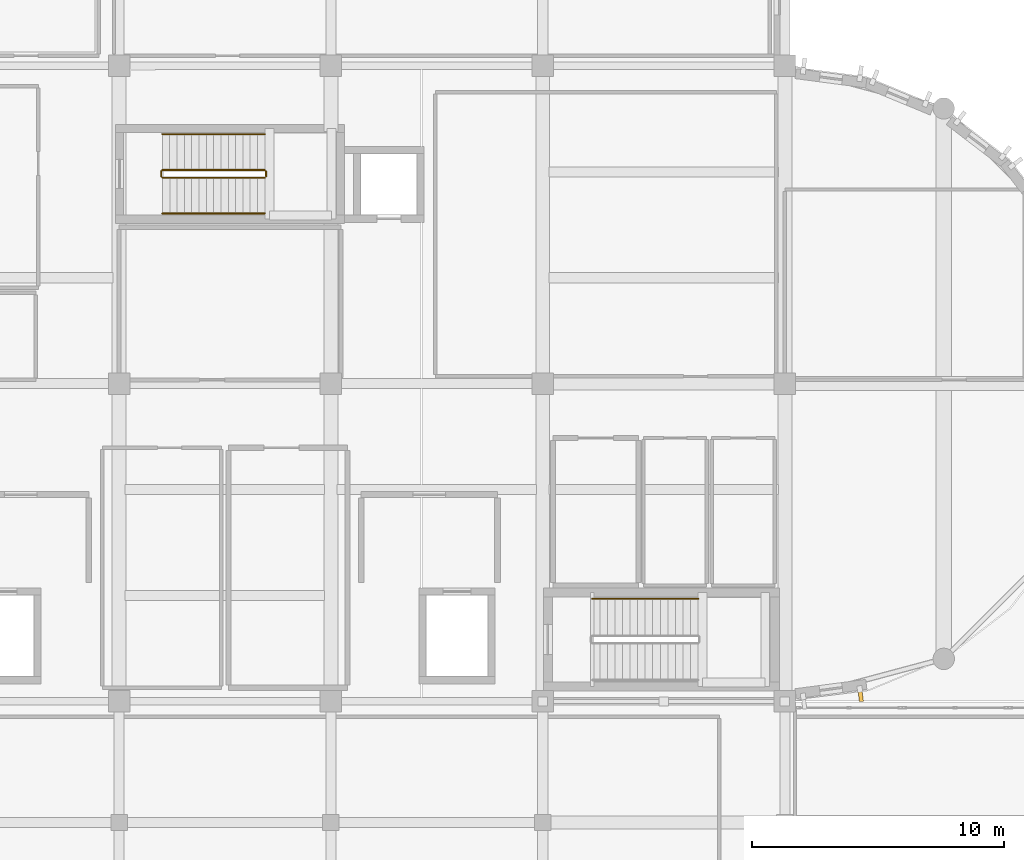
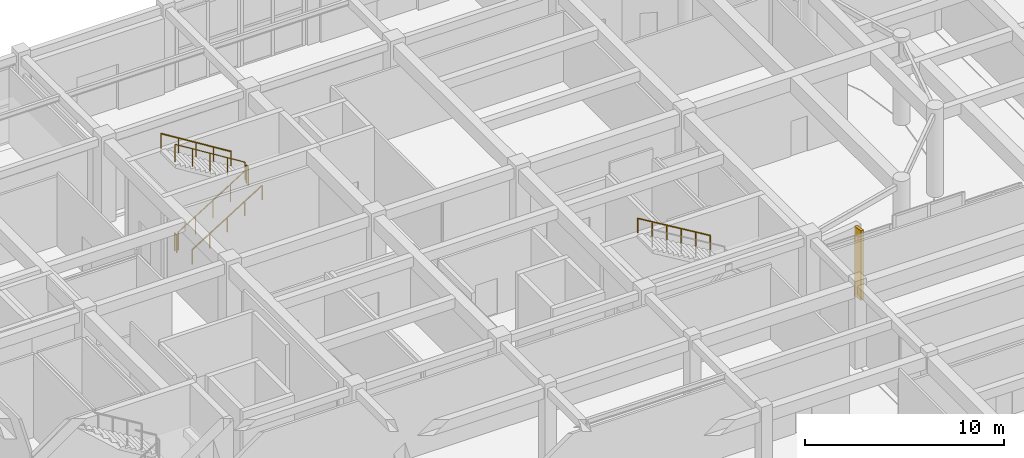
# One storey, part 93 of 98: 7 railings, 1 covering.
"""IFC4 building model written with IfcOpenShell, lengths in metres."""

from ifc_helpers import new_model, si_unit, direction, frame, origin, origin_2d, place, context, subcontext, project, spatial, rectangle, circle, extrude, material, layer, layer_set, type_object, element, save


model = new_model("IFC4")

# Units and contexts
model_context = context("Model", 3, precision=1e-05, world=origin(), true_north=direction((0.0, 1.0)))
body_context = subcontext(model_context, "Body", "Model", "MODEL_VIEW")
ifc_project = project(units=[si_unit("LENGTHUNIT", "METRE"), si_unit("AREAUNIT", "SQUARE_METRE"), si_unit("VOLUMEUNIT", "CUBIC_METRE"), si_unit("PLANEANGLEUNIT", "RADIAN"), si_unit("MASSUNIT", "GRAM", prefix="KILO")], contexts=[model_context])

# Site, building, storey
site_placement = place(None, origin())
site = spatial("IfcSite", under=ifc_project, at=site_placement, CompositionType="ELEMENT")
building_placement = place(site_placement, origin())
building = spatial("IfcBuilding", under=site, at=building_placement, Name="Tarnavel Promenade Courthouse", CompositionType="ELEMENT")
storey_placement = place(building_placement, origin())
storey = spatial("IfcBuildingStorey", under=building, at=storey_placement, Name="L01", CompositionType="ELEMENT", Elevation=0.0)

# Railings
ifc_material_1 = material(Name="Brushed Bronze Tubular Stair Handrail")
railing_type_1 = type_object("IfcRailingType", Name="Brushed Bronze Tubular Stair Handrail (RL-HND-0900)", PredefinedType="HANDRAIL", material=ifc_material_1)
railing_1_placement = place(storey_placement, frame((98.56005859375, 83.27001953125, 2.8798828125)))
element("IfcRailing", 1, at=railing_1_placement, inside=storey, type_object=railing_type_1, Name="L01 ST-02 stair handrail 2", PredefinedType="HANDRAIL", context=body_context, shape_type="SweptSolid", body=[
    extrude(circle(Radius=0.02392578125, at=origin_2d()), frame((0.0, 0.0, 0.8759765625), z_axis=(-0.857488527567, 0.0, 0.514503085598), x_axis=(0.0, -1.0, 0.0)), (0.0, 0.0, 1.0), 4.89794921875),
    extrude(circle(Radius=0.02099609375, at=origin_2d()), origin(), (0.0, 0.0, 1.0), 0.851806640625),
    extrude(circle(Radius=0.02099609375, at=origin_2d()), frame((-0.840087890625, 0.0, 0.50390625)), (0.0, 0.0, 1.0), 0.851806640625),
    extrude(circle(Radius=0.02099609375, at=origin_2d()), frame((-1.679931640625, 0.0, 1.008056640625)), (0.0, 0.0, 1.0), 0.851806640625),
    extrude(circle(Radius=0.02099609375, at=origin_2d()), frame((-2.52001953125, 0.0, 1.511962890625)), (0.0, 0.0, 1.0), 0.851806640625),
    extrude(circle(Radius=0.02099609375, at=origin_2d()), frame((-3.35986328125, 0.0, 2.01611328125)), (0.0, 0.0, 1.0), 0.851806640625),
    extrude(circle(Radius=0.02099609375, at=origin_2d()), frame((-4.199951171875, 0.0, 2.52001953125)), (0.0, 0.0, 1.0), 0.851806640625),
])
railing_2_placement = place(storey_placement, frame((77.320068359375, 98.550048828125, 0.179931640625)))
element("IfcRailing", 2, at=railing_2_placement, inside=storey, type_object=railing_type_1, Name="L01 ST-03 stair handrail 1", PredefinedType="HANDRAIL", context=body_context, shape_type="SweptSolid", body=[
    extrude(circle(Radius=0.02392578125, at=origin_2d()), frame((0.0, 0.0, 0.8759765625), z_axis=(0.849627535208, 0.0, 0.527383211162), x_axis=(0.0, 1.0, 0.0)), (0.0, 0.0, 1.0), 4.7783203125),
    extrude(circle(Radius=0.02099609375, at=origin_2d()), origin(), (0.0, 0.0, 1.0), 0.851806640625),
    extrude(circle(Radius=0.02099609375, at=origin_2d()), frame((1.014892578125, 0.0, 0.6298828125)), (0.0, 0.0, 1.0), 0.851806640625),
    extrude(circle(Radius=0.02099609375, at=origin_2d()), frame((2.02978515625, 0.0, 1.260009765625)), (0.0, 0.0, 1.0), 0.851806640625),
    extrude(circle(Radius=0.02099609375, at=origin_2d()), frame((3.044921875, 0.0, 1.89013671875)), (0.0, 0.0, 1.0), 0.851806640625),
    extrude(circle(Radius=0.02099609375, at=origin_2d()), frame((4.059814453125, 0.0, 2.52001953125)), (0.0, 0.0, 1.0), 0.851806640625),
])
railing_3_placement = place(storey_placement, frame((81.3798828125, 101.68994140625, 2.8798828125)))
element("IfcRailing", 3, at=railing_3_placement, inside=storey, type_object=railing_type_1, Name="L01 ST-03 stair handrail 2", PredefinedType="HANDRAIL", context=body_context, shape_type="SweptSolid", body=[
    extrude(circle(Radius=0.02392578125, at=origin_2d()), frame((0.0, 0.0, 0.8759765625), z_axis=(-0.849627535208, 0.0, 0.527383211162), x_axis=(0.0, -1.0, 0.0)), (0.0, 0.0, 1.0), 4.7783203125),
    extrude(circle(Radius=0.02099609375, at=origin_2d()), origin(), (0.0, 0.0, 1.0), 0.851806640625),
    extrude(circle(Radius=0.02099609375, at=origin_2d()), frame((-1.014892578125, 0.0, 0.6298828125)), (0.0, 0.0, 1.0), 0.851806640625),
    extrude(circle(Radius=0.02099609375, at=origin_2d()), frame((-2.02978515625, 0.0, 1.260009765625)), (0.0, 0.0, 1.0), 0.851806640625),
    extrude(circle(Radius=0.02099609375, at=origin_2d()), frame((-3.044921875, 0.0, 1.89013671875)), (0.0, 0.0, 1.0), 0.851806640625),
    extrude(circle(Radius=0.02099609375, at=origin_2d()), frame((-4.059814453125, 0.0, 2.52001953125)), (0.0, 0.0, 1.0), 0.851806640625),
])
ifc_material_2 = material(Name="Painted Architectural Steel Core Stair Guardrail", Category="steel")
railing_type_2 = type_object("IfcRailingType", Name="Painted Architectural Steel Core Stair Guardrail (RL-GRD-1100)", PredefinedType="GUARDRAIL", material=ifc_material_2)
railing_4_placement = place(storey_placement, frame((77.320068359375, 99.969970703125, 0.179931640625)))
element("IfcRailing", 4, at=railing_4_placement, inside=storey, type_object=railing_type_2, Name="L01 ST-03 stair guard 1", PredefinedType="GUARDRAIL", context=body_context, shape_type="SweptSolid", body=[
    extrude(circle(Radius=0.02392578125, at=origin_2d()), frame((0.0, 0.0, 1.076171875), z_axis=(0.849627535208, 0.0, 0.527383211162), x_axis=(0.0, 1.0, 0.0)), (0.0, 0.0, 1.0), 4.7783203125),
    extrude(circle(Radius=0.02099609375, at=origin_2d()), origin(), (0.0, 0.0, 1.0), 1.052001953125),
    extrude(circle(Radius=0.02099609375, at=origin_2d()), frame((1.014892578125, 0.0, 0.6298828125)), (0.0, 0.0, 1.0), 1.052001953125),
    extrude(circle(Radius=0.02099609375, at=origin_2d()), frame((2.02978515625, 0.0, 1.260009765625)), (0.0, 0.0, 1.0), 1.052001953125),
    extrude(circle(Radius=0.02099609375, at=origin_2d()), frame((3.044921875, 0.0, 1.89013671875)), (0.0, 0.0, 1.0), 1.052001953125),
    extrude(circle(Radius=0.02099609375, at=origin_2d()), frame((4.059814453125, 0.0, 2.52001953125)), (0.0, 0.0, 1.0), 1.052001953125),
])
railing_5_placement = place(storey_placement, frame((81.429931640625, 100.02001953125, 2.699951171875)))
element("IfcRailing", 5, at=railing_5_placement, inside=storey, type_object=railing_type_2, Name="L01 ST-03 stair guard 2", PredefinedType="GUARDRAIL", context=body_context, shape_type="SweptSolid", body=[
    extrude(circle(Radius=0.02392578125, at=origin_2d()), frame((0.0, 0.0, 1.076171875), z_axis=(0.0, 1.0, 0.0), x_axis=(-1.0, 0.0, 0.0)), (0.0, 0.0, 1.0), 0.199951171875),
    extrude(circle(Radius=0.02099609375, at=origin_2d()), origin(), (0.0, 0.0, 1.0), 1.052001953125),
    extrude(circle(Radius=0.02099609375, at=origin_2d()), frame((0.0, 0.199951171875, 0.0)), (0.0, 0.0, 1.0), 1.052001953125),
])
railing_6_placement = place(storey_placement, frame((81.3798828125, 100.27001953125, 2.8798828125)))
element("IfcRailing", 6, at=railing_6_placement, inside=storey, type_object=railing_type_2, Name="L01 ST-03 stair guard 3", PredefinedType="GUARDRAIL", context=body_context, shape_type="SweptSolid", body=[
    extrude(circle(Radius=0.02392578125, at=origin_2d()), frame((0.0, 0.0, 1.076171875), z_axis=(-0.849627535208, 0.0, 0.527383211162), x_axis=(0.0, -1.0, 0.0)), (0.0, 0.0, 1.0), 4.7783203125),
    extrude(circle(Radius=0.02099609375, at=origin_2d()), origin(), (0.0, 0.0, 1.0), 1.052001953125),
    extrude(circle(Radius=0.02099609375, at=origin_2d()), frame((-1.014892578125, 0.0, 0.6298828125)), (0.0, 0.0, 1.0), 1.052001953125),
    extrude(circle(Radius=0.02099609375, at=origin_2d()), frame((-2.02978515625, 0.0, 1.260009765625)), (0.0, 0.0, 1.0), 1.052001953125),
    extrude(circle(Radius=0.02099609375, at=origin_2d()), frame((-3.044921875, 0.0, 1.89013671875)), (0.0, 0.0, 1.0), 1.052001953125),
    extrude(circle(Radius=0.02099609375, at=origin_2d()), frame((-4.059814453125, 0.0, 2.52001953125)), (0.0, 0.0, 1.0), 1.052001953125),
])
railing_7_placement = place(storey_placement, frame((77.27001953125, 100.02001953125, 0.0)))
element("IfcRailing", 7, at=railing_7_placement, inside=storey, type_object=railing_type_2, Name="L01 ST-03 stair guard 4", PredefinedType="GUARDRAIL", context=body_context, shape_type="SweptSolid", body=[
    extrude(circle(Radius=0.02392578125, at=origin_2d()), frame((0.0, 0.0, 1.076171875), z_axis=(0.0, 1.0, 0.0), x_axis=(-1.0, 0.0, 0.0)), (0.0, 0.0, 1.0), 0.199951171875),
    extrude(circle(Radius=0.02099609375, at=origin_2d()), origin(), (0.0, 0.0, 1.0), 1.052001953125),
    extrude(circle(Radius=0.02099609375, at=origin_2d()), frame((0.0, 0.199951171875, 0.0)), (0.0, 0.0, 1.0), 1.052001953125),
])

# Covering
ifc_material_3 = material(Name="Patinated Copper-Bronze Fluted Pier Cladding")
ifc_layer = layer(ifc_material_3, 0.52001953125)
ifc_layer_set = layer_set([ifc_layer], Name="Patinated Copper-Bronze Fluted Pier Cladding")
covering_type = type_object("IfcCoveringType", Name="Patinated Copper-Bronze Fluted Pier Cladding COV-PIER-520 (520 mm)", PredefinedType="CLADDING", material=ifc_layer_set)
covering_placement = place(storey_placement, frame((105.001708984375, 79.4541015625, 0.0), z_axis=(0.0, 0.0, 1.0), x_axis=(0.991444861374, 0.13052619222, 0.0)))
element("IfcCovering", 8, at=covering_placement, inside=storey, type_object=covering_type, Name="L01 E Drum Fluted Copper Pier 0022", PredefinedType="CLADDING", context=body_context, shape_type="SweptSolid", body=[
    extrude(rectangle(XDim=0.159912109375, YDim=0.52001953125, at=origin_2d()), origin(), (0.0, 0.0, 1.0), 4.27001953125),
])

save(model, "model.ifc")
